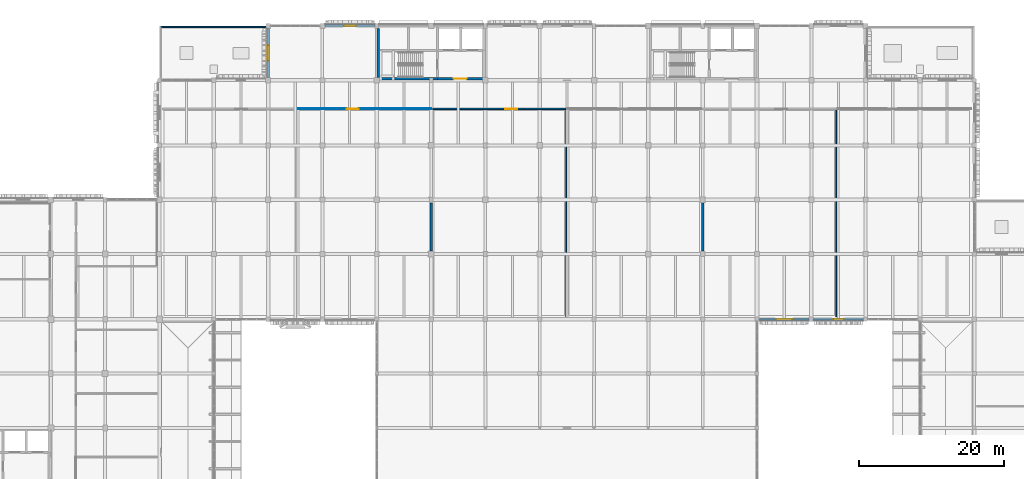
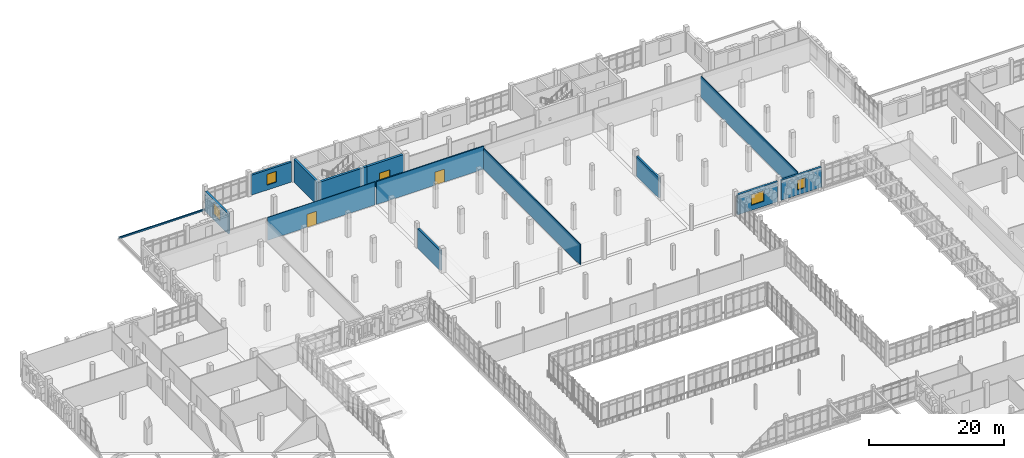
# One storey, part 101 of 128: 14 walls, 4 windows, 3 doors, 7 openings.
"""IFC4 building model written with IfcOpenShell, lengths in metres."""

from ifc_helpers import new_model, si_unit, direction, frame, frame_2d, origin, place, context, subcontext, project, spatial, rectangle, extrude, material, layer, layer_set, type_object, element, fill, save


model = new_model("IFC4")

# Units and contexts
model_context = context("Model", 3, precision=1e-05, world=origin(), true_north=direction((0.0, 1.0)))
body_context = subcontext(model_context, "Body", "Model", "MODEL_VIEW")
ifc_project = project(units=[si_unit("LENGTHUNIT", "METRE"), si_unit("AREAUNIT", "SQUARE_METRE"), si_unit("VOLUMEUNIT", "CUBIC_METRE"), si_unit("PLANEANGLEUNIT", "RADIAN"), si_unit("MASSUNIT", "GRAM", prefix="KILO")], contexts=[model_context])

# Site, building, storey
site_placement = place(None, origin())
site = spatial("IfcSite", under=ifc_project, at=site_placement, CompositionType="ELEMENT")
building_placement = place(site_placement, origin())
building = spatial("IfcBuilding", under=site, at=building_placement, Name="Dalvernix Boulevard General Hospital", CompositionType="ELEMENT")
storey_placement = place(building_placement, frame((0.0, 0.0, 4.800048828125)))
storey = spatial("IfcBuildingStorey", under=building, at=storey_placement, Name="L01", CompositionType="ELEMENT", Elevation=4.800048828125)

# Wall
ifc_material_1 = material(Name="Concrete C40/50", Category="concrete")
ifc_layer_1 = layer(ifc_material_1, 0.39990234375)
ifc_layer_set_1 = layer_set([ifc_layer_1], Name="Concrete C40/50 (WAL-CSW-01)")
wall_type_1 = type_object("IfcWallType", Name="WAL-CSW-01", PredefinedType="SHEAR", material=ifc_layer_set_1)
wall_1_placement = place(storey_placement, frame((60.35009765625, 109.699951171875, 0.0), z_axis=(0.0, 0.0, 1.0), x_axis=(1.0, 0.0, 0.0)))
element("IfcWall", 1, at=wall_1_placement, inside=storey, type_object=wall_type_1, Name="L01 C3 south stairwell wall", PredefinedType="SHEAR", context=body_context, shape_type="SweptSolid", body=[
    extrude(rectangle(XDim=8.0498046875, YDim=0.39990234375, at=frame_2d((4.02490234375, 0.0))), origin(), (0.0, 0.0, 1.0), 4.179931640625),
])

# Wall, opening, door
wall_2_placement = place(storey_placement, frame((68.39990234375, 109.699951171875, 0.0), z_axis=(0.0, 0.0, 1.0), x_axis=(1.0, 0.0, 0.0)))
wall_2 = element("IfcWall", 2, at=wall_2_placement, inside=storey, type_object=wall_type_1, Name="L01 C3 south firefighting lobby wall", PredefinedType="SHEAR", context=body_context, shape_type="SweptSolid", body=[
    extrude(rectangle(XDim=6.25, YDim=0.39990234375, at=frame_2d((3.125, 0.0))), origin(), (0.0, 0.0, 1.0), 4.179931640625),
])
opening_1_placement = place(wall_2_placement, frame((2.199951171875, 0.0, 0.0)))
opening_1 = element("IfcOpeningElement", 3, at=opening_1_placement, cuts=wall_2, Name="Opening FD-01", PredefinedType="OPENING", context=body_context, shape_type="SweptSolid", body=[
    extrude(rectangle(XDim=1.800048828125, YDim=2.25, at=frame_2d((0.89990234375, 1.125))), frame((0.0, 0.2099609375, 0.0), z_axis=(0.0, -1.0, 0.0), x_axis=(1.0, 0.0, 0.0)), (0.0, 0.0, 1.0), 0.419921875),
])
ifc_material_2 = material(Name="Hospital laminate acoustic timber and steel frame", Category="steel")
door_type_1 = type_object("IfcDoorType", Name="DR-FD-01", OperationType="DOUBLE_DOOR_SINGLE_SWING", PredefinedType="DOOR", material=ifc_material_2)
door_1_placement = place(opening_1_placement, origin())
door_1 = element("IfcDoor", 4, at=door_1_placement, inside=storey, type_object=door_type_1, Name="L01 C3 firefighting lobby door", OperationType="DOUBLE_DOOR_SINGLE_SWING", OverallHeight=2.25, OverallWidth=1.800048828125, PredefinedType="DOOR", context=body_context, shape_type="SweptSolid", body=[
    extrude(rectangle(XDim=1.800048828125, YDim=2.25, at=frame_2d((0.89990234375, 1.125))), frame((0.0, 0.02490234375, 0.0), z_axis=(0.0, -1.0, 0.0), x_axis=(1.0, 0.0, 0.0)), (0.0, 0.0, 1.0), 0.050048828125),
])
fill(opening_1, door_1)

# Walls
wall_3_placement = place(storey_placement, frame((60.199951171875, 109.85009765625, 0.0), z_axis=(0.0, 0.0, 1.0), x_axis=(0.0, 1.0, 0.0)))
element("IfcWall", 5, at=wall_3_placement, inside=storey, type_object=wall_type_1, Name="L01 C3 west core wall", PredefinedType="SHEAR", context=body_context, shape_type="SweptSolid", body=[
    extrude(rectangle(XDim=6.7998046875, YDim=0.39990234375, at=frame_2d((3.39990234375, 0.0))), origin(), (0.0, 0.0, 1.0), 4.179931640625),
])
ifc_layer_2 = layer(ifc_material_1, 0.320068359375)
ifc_layer_set_2 = layer_set([ifc_layer_2], Name="Concrete C40/50 (WAL-ESW-02)")
wall_type_2 = type_object("IfcWallType", Name="WAL-ESW-02", PredefinedType="SHEAR", material=ifc_layer_set_2)
for number, where, z_axis, x_axis, name in (
    (6, (67.5, 85.949951171875, 0.0), (0.0, 0.0, 1.0), (0.0, 1.0, 0.0), "L01 reinforced concrete shear wall 4"),
    (7, (105.0, 85.949951171875, 0.0), (0.0, 0.0, 1.0), (0.0, 1.0, 0.0), "L01 reinforced concrete shear wall 5"),
):
    element("IfcWall", number, at=place(storey_placement, frame(where, z_axis=z_axis, x_axis=x_axis)), inside=storey, type_object=wall_type_2, Name=name, PredefinedType="SHEAR", context=body_context, shape_type="SweptSolid", body=[
        extrude(rectangle(XDim=6.60009765625, YDim=0.320068359375, at=frame_2d((3.300048828125, 0.0))), origin(), (0.0, 0.0, 1.0), 3.6298828125),
    ])

# Wall, opening, window
ifc_material_3 = material(Name="Pressed Catalan clay brick and insulated concrete cavity wall C35/45", Category="masonry")
ifc_layer_3 = layer(ifc_material_3, 0.35009765625)
ifc_layer_set_3 = layer_set([ifc_layer_3], Name="Pressed Catalan clay brick and insulated concrete cavity wall C35/45 (WAL-EW-01)")
wall_type_3 = type_object("IfcWallType", Name="WAL-EW-01", PredefinedType="STANDARD", material=ifc_layer_set_3)
wall_4_placement = place(storey_placement, frame((45.0, 109.860107421875, 0.0), z_axis=(0.0, 0.0, 1.0), x_axis=(0.0, 1.0, 0.0)))
wall_4 = element("IfcWall", 8, at=wall_4_placement, inside=storey, type_object=wall_type_3, Name="L01 Catalan brick external wall W 6-14", PredefinedType="STANDARD", context=body_context, shape_type="SweptSolid", body=[
    extrude(rectangle(XDim=6.804931640625, YDim=0.35009765625, at=frame_2d((3.40234375, 0.0))), origin(), (0.0, 0.0, 1.0), 3.6298828125),
])
opening_2_placement = place(wall_4_placement, frame((2.3525390625, 0.0, 0.89990234375)))
opening_2 = element("IfcOpeningElement", 9, at=opening_2_placement, cuts=wall_4, Name="Opening WN-08", PredefinedType="OPENING", context=body_context, shape_type="SweptSolid", body=[
    extrude(rectangle(XDim=2.10009765625, YDim=2.10009765625, at=frame_2d((1.050048828125, 1.050048828125))), frame((0.0, 0.18505859375, 0.0), z_axis=(0.0, -1.0, 0.0), x_axis=(1.0, 0.0, 0.0)), (0.0, 0.0, 1.0), 0.3701171875),
])
ifc_material_4 = material(Name="Thermally broken aluminium frame with solar-control double glazing", Category="aluminium")
window_type_1 = type_object("IfcWindowType", Name="WIN-WN-08", PartitioningType="SINGLE_PANEL", PredefinedType="WINDOW", material=ifc_material_4)
window_1_placement = place(opening_2_placement, origin())
window_1 = element("IfcWindow", 10, at=window_1_placement, inside=storey, type_object=window_type_1, Name="L01 clinical window WN-08 W 6-14", OverallHeight=2.10009765625, OverallWidth=2.10009765625, PartitioningType="SINGLE_PANEL", PredefinedType="WINDOW", context=body_context, shape_type="SweptSolid", body=[
    extrude(rectangle(XDim=2.10009765625, YDim=2.10009765625, at=frame_2d((1.050048828125, 1.050048828125))), frame((0.0, 0.030029296875, 0.0), z_axis=(0.0, -1.0, 0.0), x_axis=(1.0, 0.0, 0.0)), (0.0, 0.0, 1.0), 0.06005859375),
])
fill(opening_2, window_1)

wall_5_placement = place(storey_placement, frame((52.860107421875, 117.0, 0.0), z_axis=(0.0, 0.0, 1.0), x_axis=(1.0, 0.0, 0.0)))
wall_5 = element("IfcWall", 11, at=wall_5_placement, inside=storey, type_object=wall_type_3, Name="L01 Catalan brick external wall N 7-15", PredefinedType="STANDARD", context=body_context, shape_type="SweptSolid", body=[
    extrude(rectangle(XDim=6.8798828125, YDim=0.35009765625, at=frame_2d((3.43994140625, 0.0))), origin(), (0.0, 0.0, 1.0), 3.6298828125),
])
opening_3_placement = place(wall_5_placement, frame((2.639892578125, 0.0, 0.89990234375)))
opening_3 = element("IfcOpeningElement", 12, at=opening_3_placement, cuts=wall_5, Name="Opening WN-10", PredefinedType="OPENING", context=body_context, shape_type="SweptSolid", body=[
    extrude(rectangle(XDim=1.60009765625, YDim=1.949951171875, at=frame_2d((0.800048828125, 0.97509765625))), frame((0.0, 0.18505859375, 0.0), z_axis=(0.0, -1.0, 0.0), x_axis=(1.0, 0.0, 0.0)), (0.0, 0.0, 1.0), 0.3701171875),
])
window_type_2 = type_object("IfcWindowType", Name="WIN-WN-10", PartitioningType="SINGLE_PANEL", PredefinedType="WINDOW", material=ifc_material_4)
window_2_placement = place(opening_3_placement, origin())
window_2 = element("IfcWindow", 13, at=window_2_placement, inside=storey, type_object=window_type_2, Name="L01 clinical window WN-10 N 7-15", OverallHeight=1.949951171875, OverallWidth=1.60009765625, PartitioningType="SINGLE_PANEL", PredefinedType="WINDOW", context=body_context, shape_type="SweptSolid", body=[
    extrude(rectangle(XDim=1.60009765625, YDim=1.949951171875, at=frame_2d((0.800048828125, 0.97509765625))), frame((0.0, 0.030029296875, 0.0), z_axis=(0.0, -1.0, 0.0), x_axis=(1.0, 0.0, 0.0)), (0.0, 0.0, 1.0), 0.06005859375),
])
fill(opening_3, window_2)

wall_6_placement = place(storey_placement, frame((119.68994140625, 76.5, 0.0), z_axis=(0.0, 0.0, 1.0), x_axis=(-1.0, 0.0, 0.0)))
wall_6 = element("IfcWall", 14, at=wall_6_placement, inside=storey, type_object=wall_type_3, Name="L01 Catalan brick external wall S 15-10", PredefinedType="STANDARD", context=body_context, shape_type="SweptSolid", body=[
    extrude(rectangle(XDim=6.8798828125, YDim=0.35009765625, at=frame_2d((3.43994140625, 0.0))), origin(), (0.0, 0.0, 1.0), 3.6298828125),
])
opening_4_placement = place(wall_6_placement, frame((2.340087890625, 0.0, 0.89990234375)))
opening_4 = element("IfcOpeningElement", 15, at=opening_4_placement, cuts=wall_6, Name="Opening WN-13", PredefinedType="OPENING", context=body_context, shape_type="SweptSolid", body=[
    extrude(rectangle(XDim=2.199951171875, YDim=1.949951171875, at=frame_2d((1.10009765625, 0.97509765625))), frame((0.0, 0.18505859375, 0.0), z_axis=(0.0, -1.0, 0.0), x_axis=(1.0, 0.0, 0.0)), (0.0, 0.0, 1.0), 0.3701171875),
])
window_type_3 = type_object("IfcWindowType", Name="WIN-WN-13", PartitioningType="SINGLE_PANEL", PredefinedType="WINDOW", material=ifc_material_4)
window_3_placement = place(opening_4_placement, origin())
window_3 = element("IfcWindow", 16, at=window_3_placement, inside=storey, type_object=window_type_3, Name="L01 clinical window WN-13 S 15-10", OverallHeight=1.949951171875, OverallWidth=2.199951171875, PartitioningType="SINGLE_PANEL", PredefinedType="WINDOW", context=body_context, shape_type="SweptSolid", body=[
    extrude(rectangle(XDim=2.199951171875, YDim=1.949951171875, at=frame_2d((1.10009765625, 0.97509765625))), frame((0.0, 0.030029296875, 0.0), z_axis=(0.0, -1.0, 0.0), x_axis=(1.0, 0.0, 0.0)), (0.0, 0.0, 1.0), 0.06005859375),
])
fill(opening_4, window_3)

wall_7_placement = place(storey_placement, frame((127.18994140625, 76.5, 0.0), z_axis=(0.0, 0.0, 1.0), x_axis=(-1.0, 0.0, 0.0)))
wall_7 = element("IfcWall", 17, at=wall_7_placement, inside=storey, type_object=wall_type_3, Name="L01 Catalan brick external wall S 16-10", PredefinedType="STANDARD", context=body_context, shape_type="SweptSolid", body=[
    extrude(rectangle(XDim=6.8798828125, YDim=0.35009765625, at=frame_2d((3.43994140625, 0.0))), origin(), (0.0, 0.0, 1.0), 3.6298828125),
])
opening_5_placement = place(wall_7_placement, frame((2.739990234375, 0.0, 0.89990234375)))
opening_5 = element("IfcOpeningElement", 18, at=opening_5_placement, cuts=wall_7, Name="Opening WN-14", PredefinedType="OPENING", context=body_context, shape_type="SweptSolid", body=[
    extrude(rectangle(XDim=1.39990234375, YDim=1.800048828125, at=frame_2d((0.699951171875, 0.89990234375))), frame((0.0, 0.18505859375, 0.0), z_axis=(0.0, -1.0, 0.0), x_axis=(1.0, 0.0, 0.0)), (0.0, 0.0, 1.0), 0.3701171875),
])
window_type_4 = type_object("IfcWindowType", Name="WIN-WN-14", PartitioningType="SINGLE_PANEL", PredefinedType="WINDOW", material=ifc_material_4)
window_4_placement = place(opening_5_placement, origin())
window_4 = element("IfcWindow", 19, at=window_4_placement, inside=storey, type_object=window_type_4, Name="L01 clinical window WN-14 S 16-10", OverallHeight=1.800048828125, OverallWidth=1.39990234375, PartitioningType="SINGLE_PANEL", PredefinedType="WINDOW", context=body_context, shape_type="SweptSolid", body=[
    extrude(rectangle(XDim=1.39990234375, YDim=1.800048828125, at=frame_2d((0.699951171875, 0.89990234375))), frame((0.0, 0.030029296875, 0.0), z_axis=(0.0, -1.0, 0.0), x_axis=(1.0, 0.0, 0.0)), (0.0, 0.0, 1.0), 0.06005859375),
])
fill(opening_5, window_4)

# Wall, opening, door
ifc_material_5 = material(Name="Fire-compartment corridor masonry wall", Category="masonry")
ifc_layer_4 = layer(ifc_material_5, 0.199951171875)
ifc_layer_set_4 = layer_set([ifc_layer_4], Name="Fire-compartment corridor masonry wall (WAL-IW-02)")
wall_type_4 = type_object("IfcWallType", Name="WAL-IW-02", PredefinedType="STANDARD", material=ifc_layer_set_4)
wall_8_placement = place(storey_placement, frame((86.14990234375, 105.550048828125, 0.0), z_axis=(0.0, 0.0, 1.0), x_axis=(-1.0, 0.0, 0.0)))
wall_8 = element("IfcWall", 20, at=wall_8_placement, inside=storey, type_object=wall_type_4, Name="L01 Clinical Pathology and Microbiology Laboratory 02 corridor wall", PredefinedType="STANDARD", context=body_context, shape_type="SweptSolid", body=[
    extrude(rectangle(XDim=18.43310546875, YDim=0.199951171875, at=frame_2d((9.216552734375, 0.0))), origin(), (0.0, 0.0, 1.0), 4.1650390625),
])
opening_6_placement = place(wall_8_placement, frame((6.76318359375, 0.0, 0.0)))
opening_6 = element("IfcOpeningElement", 21, at=opening_6_placement, cuts=wall_8, Name="Opening ID-12", PredefinedType="OPENING", context=body_context, shape_type="SweptSolid", body=[
    extrude(rectangle(XDim=1.64990234375, YDim=2.35009765625, at=frame_2d((0.824951171875, 1.175048828125))), frame((0.0, 0.10986328125, 0.0), z_axis=(0.0, -1.0, 0.0), x_axis=(1.0, 0.0, 0.0)), (0.0, 0.0, 1.0), 0.219970703125),
])
door_type_2 = type_object("IfcDoorType", Name="DR-ID-12", OperationType="DOUBLE_DOOR_SINGLE_SWING", PredefinedType="DOOR", material=ifc_material_2)
door_2_placement = place(opening_6_placement, origin())
door_2 = element("IfcDoor", 22, at=door_2_placement, inside=storey, type_object=door_type_2, Name="L01 Clinical Pathology and Microbiology Laboratory 02 door", OperationType="DOUBLE_DOOR_SINGLE_SWING", OverallHeight=2.35009765625, OverallWidth=1.64990234375, PredefinedType="DOOR", context=body_context, shape_type="SweptSolid", body=[
    extrude(rectangle(XDim=1.64990234375, YDim=2.35009765625, at=frame_2d((0.824951171875, 1.175048828125))), frame((0.0, 0.02490234375, 0.0), z_axis=(0.0, -1.0, 0.0), x_axis=(1.0, 0.0, 0.0)), (0.0, 0.0, 1.0), 0.050048828125),
])
fill(opening_6, door_2)

# Walls
ifc_material_6 = material(Name="Acoustic double-stud gypsum inpatient partition")
ifc_layer_5 = layer(ifc_material_6, 0.14990234375)
ifc_layer_set_5 = layer_set([ifc_layer_5], Name="Acoustic double-stud gypsum inpatient partition (WAL-IW-04)")
wall_type_5 = type_object("IfcWallType", Name="WAL-IW-04", PredefinedType="PARTITIONING", material=ifc_layer_set_5)
for number, where, z_axis, x_axis, name in (
    (23, (86.14990234375, 76.85009765625, 0.0), (0.0, 0.0, 1.0), (0.0, 1.0, 0.0), "L01 Clinical Pathology and Microbiology Laboratory 02 partition"),
    (24, (123.416748046875, 76.85009765625, 0.0), (0.0, 0.0, 1.0), (0.0, 1.0, 0.0), "L01 Clinical Pathology and Microbiology Laboratory 04 partition"),
):
    element("IfcWall", number, at=place(storey_placement, frame(where, z_axis=z_axis, x_axis=x_axis)), inside=storey, type_object=wall_type_5, Name=name, PredefinedType="PARTITIONING", context=body_context, shape_type="SweptSolid", body=[
        extrude(rectangle(XDim=28.699951171875, YDim=0.14990234375, at=frame_2d((14.35009765625, 0.0))), origin(), (0.0, 0.0, 1.0), 3.764892578125),
    ])

# Wall, opening, door
ifc_material_7 = material(Name="Fire-resisting clinical sub-partition")
ifc_layer_6 = layer(ifc_material_7, 0.10009765625)
ifc_layer_set_6 = layer_set([ifc_layer_6], Name="Fire-resisting clinical sub-partition (WAL-IW-06)")
wall_type_6 = type_object("IfcWallType", Name="WAL-IW-06", PredefinedType="PARTITIONING", material=ifc_layer_set_6)
wall_9_placement = place(storey_placement, frame((67.5166015625, 105.550048828125, 0.0), z_axis=(0.0, 0.0, 1.0), x_axis=(-1.0, 0.0, 0.0)))
wall_9 = element("IfcWall", 25, at=wall_9_placement, inside=storey, type_object=wall_type_6, Name="L01 Clinical Pathology and Microbiology Laboratory 01 corridor wall", PredefinedType="PARTITIONING", context=body_context, shape_type="SweptSolid", body=[
    extrude(rectangle(XDim=18.433349609375, YDim=0.10009765625, at=frame_2d((9.216796875, 0.0))), origin(), (0.0, 0.0, 1.0), 4.1650390625),
])
opening_7_placement = place(wall_9_placement, frame((10.02001953125, 0.0, 0.0)))
opening_7 = element("IfcOpeningElement", 26, at=opening_7_placement, cuts=wall_9, Name="Opening ID-12", PredefinedType="OPENING", context=body_context, shape_type="SweptSolid", body=[
    extrude(rectangle(XDim=1.64990234375, YDim=2.35009765625, at=frame_2d((0.824951171875, 1.175048828125))), frame((0.0, 0.06005859375, 0.0), z_axis=(0.0, -1.0, 0.0), x_axis=(1.0, 0.0, 0.0)), (0.0, 0.0, 1.0), 0.1201171875),
])
door_3_placement = place(opening_7_placement, origin())
door_3 = element("IfcDoor", 27, at=door_3_placement, inside=storey, type_object=door_type_2, Name="L01 Clinical Pathology and Microbiology Laboratory 01 door", OperationType="DOUBLE_DOOR_SINGLE_SWING", OverallHeight=2.35009765625, OverallWidth=1.64990234375, PredefinedType="DOOR", context=body_context, shape_type="SweptSolid", body=[
    extrude(rectangle(XDim=1.64990234375, YDim=2.35009765625, at=frame_2d((0.824951171875, 1.175048828125))), frame((0.0, 0.02490234375, 0.0), z_axis=(0.0, -1.0, 0.0), x_axis=(1.0, 0.0, 0.0)), (0.0, 0.0, 1.0), 0.050048828125),
])
fill(opening_7, door_3)

# Wall
ifc_material_8 = material(Name="Insulated precast concrete parapet C40/50", Category="concrete")
ifc_layer_7 = layer(ifc_material_8, 0.219970703125)
ifc_layer_set_7 = layer_set([ifc_layer_7], Name="Insulated precast concrete parapet C40/50 (WAL-PW-01)")
wall_type_7 = type_object("IfcWallType", Name="WAL-PW-01", PredefinedType="PARAPET", material=ifc_layer_set_7)
wall_10_placement = place(storey_placement, frame((30.14990234375, 116.85009765625, 0.079833984375), z_axis=(0.0, 0.0, 1.0), x_axis=(1.0, 0.0, 0.0)))
element("IfcWall", 28, at=wall_10_placement, inside=storey, type_object=wall_type_7, Name="L01 roof parapet wall V3NW-1", PredefinedType="PARAPET", context=body_context, shape_type="SweptSolid", body=[
    extrude(rectangle(XDim=14.7001953125, YDim=0.219970703125, at=frame_2d((7.35009765625, 0.0))), origin(), (0.0, 0.0, 1.0), 0.280029296875),
])

save(model, "model.ifc")
